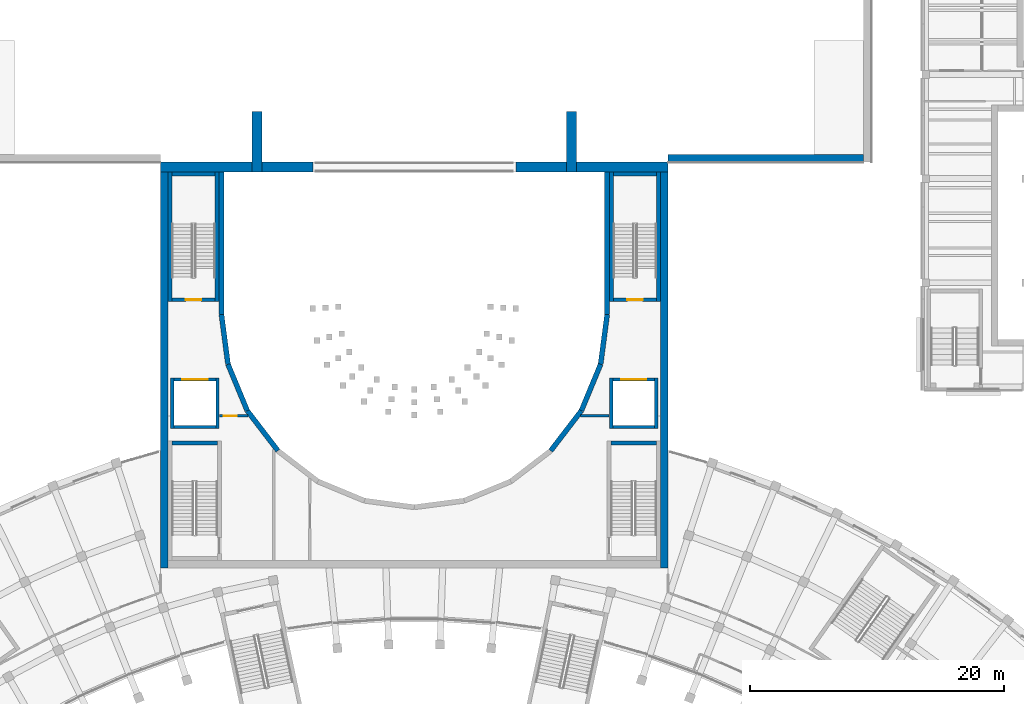
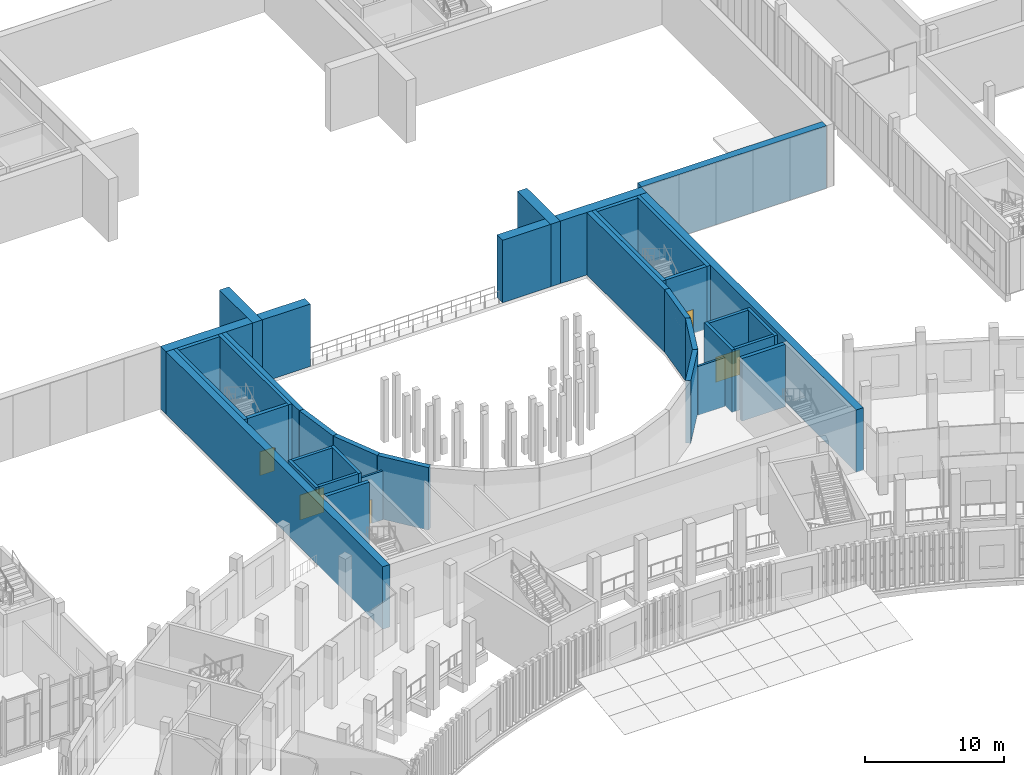
# One storey, part 59 of 112: 35 walls, 5 doors, 5 openings.
"""IFC4 building model written with IfcOpenShell, lengths in metres."""

from ifc_helpers import new_model, si_unit, direction, frame, frame_2d, origin, place, context, subcontext, project, spatial, rectangle, extrude, material, layer, layer_set, type_object, element, fill, save


model = new_model("IFC4")

# Units and contexts
model_context = context("Model", 3, precision=1e-05, world=origin(), true_north=direction((0.0, 1.0)))
body_context = subcontext(model_context, "Body", "Model", "MODEL_VIEW")
ifc_project = project(units=[si_unit("LENGTHUNIT", "METRE"), si_unit("AREAUNIT", "SQUARE_METRE"), si_unit("VOLUMEUNIT", "CUBIC_METRE"), si_unit("PLANEANGLEUNIT", "RADIAN"), si_unit("MASSUNIT", "GRAM", prefix="KILO")], contexts=[model_context])

# Site, building, storey
site_placement = place(None, origin())
site = spatial("IfcSite", under=ifc_project, at=site_placement, CompositionType="ELEMENT")
building_placement = place(site_placement, origin())
building = spatial("IfcBuilding", under=site, at=building_placement, Name="Lunette Opera House", CompositionType="ELEMENT")
storey_placement = place(building_placement, frame((0.0, 0.0, 6.0)))
storey = spatial("IfcBuildingStorey", under=building, at=storey_placement, Name="L01", CompositionType="ELEMENT", Elevation=6.0)

# Wall, opening, door
ifc_material_1 = material(Name="Plastered clay blockwork", Category="masonry")
ifc_layer_1 = layer(ifc_material_1, 0.175048828125)
ifc_layer_set_1 = layer_set([ifc_layer_1], Name="Plastered clay blockwork")
wall_type_1 = type_object("IfcWallType", Name="ACOUSTIC BLOCK PARTITION 175", PredefinedType="PARTITIONING", material=ifc_layer_set_1)
wall_1_placement = place(storey_placement, frame((82.887939453125, 76.0, 0.0), z_axis=(0.0, 0.0, 1.0), x_axis=(-1.0, 0.0, 0.0)))
wall_1 = element("IfcWall", 1, at=wall_1_placement, inside=storey, type_object=wall_type_1, Name="Partition Auditorium Control Room", PredefinedType="PARTITIONING", context=body_context, shape_type="SweptSolid", body=[
    extrude(rectangle(XDim=2.238037109375, YDim=0.175048828125, at=frame_2d((1.119140625, 0.0))), origin(), (0.0, 0.0, 1.0), 4.300048828125),
])
opening_1_placement = place(wall_1_placement, frame((0.89208984375, 0.0, 0.0)))
opening_1 = element("IfcOpeningElement", 2, at=opening_1_placement, cuts=wall_1, Name="Opening AU-D3008", PredefinedType="OPENING", context=body_context, shape_type="SweptSolid", body=[
    extrude(rectangle(XDim=1.0, YDim=2.10009765625, at=frame_2d((0.5, 1.050048828125))), frame((0.0, 0.099609375, 0.0), z_axis=(0.0, -1.0, 0.0), x_axis=(1.0, 0.0, 0.0)), (0.0, 0.0, 1.0), 0.198974609375),
])
ifc_material_2 = material(Name="Timber", Category="wood")
door_type_1 = type_object("IfcDoorType", Name="FLUSH DOOR 1000 X 2100", OperationType="SINGLE_SWING_LEFT", PredefinedType="DOOR", material=ifc_material_2)
door_1_placement = place(opening_1_placement, origin())
door_1 = element("IfcDoor", 3, at=door_1_placement, inside=storey, type_object=door_type_1, Name="Auditorium Control Room door", OperationType="SINGLE_SWING_RIGHT", OverallHeight=2.10009765625, OverallWidth=1.0, PredefinedType="DOOR", context=body_context, shape_type="SweptSolid", body=[
    extrude(rectangle(XDim=1.0, YDim=2.10009765625, at=frame_2d((0.5, 1.050048828125))), frame((0.0, 0.02490234375, 0.0), z_axis=(0.0, -1.0, 0.0), x_axis=(1.0, 0.0, 0.0)), (0.0, 0.0, 1.0), 0.050048828125),
])
fill(opening_1, door_1)

# Walls
wall_2_placement = place(storey_placement, frame((109.112060546875, 76.0, 0.0), z_axis=(0.0, 0.0, 1.0), x_axis=(1.0, 0.0, 0.0)))
element("IfcWall", 4, at=wall_2_placement, inside=storey, type_object=wall_type_1, Name="Partition Stalls Gallery Foyer East", PredefinedType="PARTITIONING", context=body_context, shape_type="SweptSolid", body=[
    extrude(rectangle(XDim=2.238037109375, YDim=0.175048828125, at=frame_2d((1.119140625, 0.0))), origin(), (0.0, 0.0, 1.0), 4.300048828125),
])
ifc_material_3 = material(Name="Concrete C40/50", Category="concrete")
ifc_layer_2 = layer(ifc_material_3, 0.800048828125)
ifc_layer_set_2 = layer_set([ifc_layer_2], Name="Concrete C40/50")
wall_type_2 = type_object("IfcWallType", Name="FIRE WALL 800", PredefinedType="SHEAR", material=ifc_layer_set_2)
for number, where, z_axis, x_axis, name in (
    (5, (76.0, 95.60009765625, 0.0), (0.0, 0.0, 1.0), (1.0, 0.0, 0.0), "wall-ST-L01-WP-1"),
    (6, (104.0, 95.60009765625, 0.0), (0.0, 0.0, 1.0), (1.0, 0.0, 0.0), "wall-ST-L01-WP-2"),
):
    element("IfcWall", number, at=place(storey_placement, frame(where, z_axis=z_axis, x_axis=x_axis)), inside=storey, type_object=wall_type_2, Name=name, PredefinedType="SHEAR", context=body_context, shape_type="SweptSolid", body=[
        extrude(rectangle(XDim=12.0, YDim=0.800048828125, at=frame_2d((6.0, 0.0))), origin(), (0.0, 0.0, 1.0), 5.5),
    ])
ifc_material_4 = material(Name="Concrete C35/45", Category="concrete")
ifc_layer_3 = layer(ifc_material_4, 0.25)
ifc_layer_set_3 = layer_set([ifc_layer_3], Name="Concrete C35/45")
wall_type_3 = type_object("IfcWallType", Name="RC LIFT SHAFT WALL 250", PredefinedType="SOLIDWALL", material=ifc_layer_set_3)
wall_3_placement = place(storey_placement, frame((115.074951171875, 75.0, 0.0), z_axis=(0.0, 0.0, 1.0), x_axis=(0.0, 1.0, 0.0)))
element("IfcWall", 7, at=wall_3_placement, inside=storey, type_object=wall_type_3, Name="LF3 shaft wall 1", PredefinedType="SOLIDWALL", context=body_context, shape_type="SweptSolid", body=[
    extrude(rectangle(XDim=4.0, YDim=0.25, at=frame_2d((2.0, 0.0))), origin(), (0.0, 0.0, 1.0), 5.5),
])

# Wall, opening, door
wall_4_placement = place(storey_placement, frame((114.949951171875, 78.875, 0.0), z_axis=(0.0, 0.0, 1.0), x_axis=(-1.0, 0.0, 0.0)))
wall_4 = element("IfcWall", 8, at=wall_4_placement, inside=storey, type_object=wall_type_3, Name="LF3 shaft wall 2", PredefinedType="SOLIDWALL", context=body_context, shape_type="SweptSolid", body=[
    extrude(rectangle(XDim=3.300048828125, YDim=0.25, at=frame_2d((1.64990234375, 0.0))), origin(), (0.0, 0.0, 1.0), 5.5),
])
opening_2_placement = place(wall_4_placement, frame((0.64990234375, 0.0, 0.0)))
opening_2 = element("IfcOpeningElement", 9, at=opening_2_placement, cuts=wall_4, Name="Opening AU-LD002", PredefinedType="OPENING", context=body_context, shape_type="SweptSolid", body=[
    extrude(rectangle(XDim=2.0, YDim=2.199951171875, at=frame_2d((1.0, 1.10009765625))), frame((0.0, 0.136962890625, 0.0), z_axis=(0.0, -1.0, 0.0), x_axis=(1.0, 0.0, 0.0)), (0.0, 0.0, 1.0), 0.27392578125),
])
ifc_material_5 = material(Name="Stainless steel", Category="steel")
door_type_2 = type_object("IfcDoorType", Name="LIFT LANDING DOOR 2000 X 2200", OperationType="DOUBLE_DOOR_SLIDING", PredefinedType="DOOR", material=ifc_material_5)
door_2_placement = place(opening_2_placement, origin())
door_2 = element("IfcDoor", 10, at=door_2_placement, inside=storey, type_object=door_type_2, Name="LF3 lift landing door", OperationType="DOUBLE_DOOR_SLIDING", OverallHeight=2.199951171875, OverallWidth=2.0, PredefinedType="DOOR", context=body_context, shape_type="SweptSolid", body=[
    extrude(rectangle(XDim=2.0, YDim=2.199951171875, at=frame_2d((1.0, 1.10009765625))), frame((0.0, 0.02490234375, 0.0), z_axis=(0.0, -1.0, 0.0), x_axis=(1.0, 0.0, 0.0)), (0.0, 0.0, 1.0), 0.050048828125),
])
fill(opening_2, door_2)

# Walls
wall_5_placement = place(storey_placement, frame((111.52490234375, 79.0, 0.0), z_axis=(0.0, 0.0, 1.0), x_axis=(0.0, -1.0, 0.0)))
element("IfcWall", 11, at=wall_5_placement, inside=storey, type_object=wall_type_3, Name="LF3 shaft wall 3", PredefinedType="SOLIDWALL", context=body_context, shape_type="SweptSolid", body=[
    extrude(rectangle(XDim=4.0, YDim=0.25, at=frame_2d((2.0, 0.0))), origin(), (0.0, 0.0, 1.0), 5.5),
])
wall_6_placement = place(storey_placement, frame((111.64990234375, 75.125, 0.0), z_axis=(0.0, 0.0, 1.0), x_axis=(1.0, 0.0, 0.0)))
element("IfcWall", 12, at=wall_6_placement, inside=storey, type_object=wall_type_3, Name="LF3 shaft wall 4", PredefinedType="SOLIDWALL", context=body_context, shape_type="SweptSolid", body=[
    extrude(rectangle(XDim=3.300048828125, YDim=0.25, at=frame_2d((1.64990234375, 0.0))), origin(), (0.0, 0.0, 1.0), 5.5),
])
wall_7_placement = place(storey_placement, frame((80.47509765625, 75.0, 0.0), z_axis=(0.0, 0.0, 1.0), x_axis=(0.0, 1.0, 0.0)))
element("IfcWall", 13, at=wall_7_placement, inside=storey, type_object=wall_type_3, Name="LF4 shaft wall 1", PredefinedType="SOLIDWALL", context=body_context, shape_type="SweptSolid", body=[
    extrude(rectangle(XDim=4.0, YDim=0.25, at=frame_2d((2.0, 0.0))), origin(), (0.0, 0.0, 1.0), 5.5),
])

# Wall, opening, door
wall_8_placement = place(storey_placement, frame((80.35009765625, 78.875, 0.0), z_axis=(0.0, 0.0, 1.0), x_axis=(-1.0, 0.0, 0.0)))
wall_8 = element("IfcWall", 14, at=wall_8_placement, inside=storey, type_object=wall_type_3, Name="LF4 shaft wall 2", PredefinedType="SOLIDWALL", context=body_context, shape_type="SweptSolid", body=[
    extrude(rectangle(XDim=3.300048828125, YDim=0.25, at=frame_2d((1.64990234375, 0.0))), origin(), (0.0, 0.0, 1.0), 5.5),
])
opening_3_placement = place(wall_8_placement, frame((0.64990234375, 0.0, 0.0)))
opening_3 = element("IfcOpeningElement", 15, at=opening_3_placement, cuts=wall_8, Name="Opening AU-LD007", PredefinedType="OPENING", context=body_context, shape_type="SweptSolid", body=[
    extrude(rectangle(XDim=2.0, YDim=2.199951171875, at=frame_2d((1.0, 1.10009765625))), frame((0.0, 0.136962890625, 0.0), z_axis=(0.0, -1.0, 0.0), x_axis=(1.0, 0.0, 0.0)), (0.0, 0.0, 1.0), 0.27392578125),
])
door_3_placement = place(opening_3_placement, origin())
door_3 = element("IfcDoor", 16, at=door_3_placement, inside=storey, type_object=door_type_2, Name="LF4 lift landing door", OperationType="DOUBLE_DOOR_SLIDING", OverallHeight=2.199951171875, OverallWidth=2.0, PredefinedType="DOOR", context=body_context, shape_type="SweptSolid", body=[
    extrude(rectangle(XDim=2.0, YDim=2.199951171875, at=frame_2d((1.0, 1.10009765625))), frame((0.0, 0.02490234375, 0.0), z_axis=(0.0, -1.0, 0.0), x_axis=(1.0, 0.0, 0.0)), (0.0, 0.0, 1.0), 0.050048828125),
])
fill(opening_3, door_3)

# Walls
wall_9_placement = place(storey_placement, frame((76.925048828125, 79.0, 0.0), z_axis=(0.0, 0.0, 1.0), x_axis=(0.0, -1.0, 0.0)))
element("IfcWall", 17, at=wall_9_placement, inside=storey, type_object=wall_type_3, Name="LF4 shaft wall 3", PredefinedType="SOLIDWALL", context=body_context, shape_type="SweptSolid", body=[
    extrude(rectangle(XDim=4.0, YDim=0.25, at=frame_2d((2.0, 0.0))), origin(), (0.0, 0.0, 1.0), 5.5),
])
wall_10_placement = place(storey_placement, frame((77.050048828125, 75.125, 0.0), z_axis=(0.0, 0.0, 1.0), x_axis=(1.0, 0.0, 0.0)))
element("IfcWall", 18, at=wall_10_placement, inside=storey, type_object=wall_type_3, Name="LF4 shaft wall 4", PredefinedType="SOLIDWALL", context=body_context, shape_type="SweptSolid", body=[
    extrude(rectangle(XDim=3.300048828125, YDim=0.25, at=frame_2d((1.64990234375, 0.0))), origin(), (0.0, 0.0, 1.0), 5.5),
])
ifc_material_6 = material(Name="Concrete C35/45", Category="concrete")
ifc_layer_4 = layer(ifc_material_6, 0.300048828125)
ifc_layer_set_4 = layer_set([ifc_layer_4], Name="Concrete C35/45")
wall_type_4 = type_object("IfcWallType", Name="RC STAIR ENCLOSURE WALL 300", PredefinedType="SOLIDWALL", material=ifc_layer_set_4)
wall_11_placement = place(storey_placement, frame((80.449951171875, 85.0, 0.0), z_axis=(0.0, 0.0, 1.0), x_axis=(0.0, 1.0, 0.0)))
element("IfcWall", 19, at=wall_11_placement, inside=storey, type_object=wall_type_4, Name="ST10 enclosure wall 1", PredefinedType="SOLIDWALL", context=body_context, shape_type="SweptSolid", body=[
    extrude(rectangle(XDim=10.199951171875, YDim=0.300048828125, at=frame_2d((5.10009765625, 0.0))), origin(), (0.0, 0.0, 1.0), 5.5),
])
wall_12_placement = place(storey_placement, frame((80.300048828125, 95.050048828125, 0.0), z_axis=(0.0, 0.0, 1.0), x_axis=(-1.0, 0.0, 0.0)))
element("IfcWall", 20, at=wall_12_placement, inside=storey, type_object=wall_type_4, Name="ST10 enclosure wall 2", PredefinedType="SOLIDWALL", context=body_context, shape_type="SweptSolid", body=[
    extrude(rectangle(XDim=3.400146484375, YDim=0.300048828125, at=frame_2d((1.7001953125, 0.0))), origin(), (0.0, 0.0, 1.0), 5.5),
])
wall_13_placement = place(storey_placement, frame((76.75, 95.199951171875, 0.0), z_axis=(0.0, 0.0, 1.0), x_axis=(0.0, -1.0, 0.0)))
element("IfcWall", 21, at=wall_13_placement, inside=storey, type_object=wall_type_4, Name="ST10 enclosure wall 3", PredefinedType="SOLIDWALL", context=body_context, shape_type="SweptSolid", body=[
    extrude(rectangle(XDim=10.199951171875, YDim=0.300048828125, at=frame_2d((5.10009765625, 0.0))), origin(), (0.0, 0.0, 1.0), 5.5),
])

# Wall, opening, door
wall_14_placement = place(storey_placement, frame((76.89990234375, 85.14990234375, 0.0), z_axis=(0.0, 0.0, 1.0), x_axis=(1.0, 0.0, 0.0)))
wall_14 = element("IfcWall", 22, at=wall_14_placement, inside=storey, type_object=wall_type_4, Name="ST10 enclosure wall 4", PredefinedType="SOLIDWALL", context=body_context, shape_type="SweptSolid", body=[
    extrude(rectangle(XDim=3.400146484375, YDim=0.300048828125, at=frame_2d((1.7001953125, 0.0))), origin(), (0.0, 0.0, 1.0), 5.5),
])
opening_4_placement = place(wall_14_placement, frame((1.10009765625, 0.0, 0.0)))
opening_4 = element("IfcOpeningElement", 23, at=opening_4_placement, cuts=wall_14, Name="Opening AU-D7003", PredefinedType="OPENING", context=body_context, shape_type="SweptSolid", body=[
    extrude(rectangle(XDim=1.199951171875, YDim=2.10009765625, at=frame_2d((0.60009765625, 1.050048828125))), frame((0.0, 0.162109375, 0.0), z_axis=(0.0, -1.0, 0.0), x_axis=(1.0, 0.0, 0.0)), (0.0, 0.0, 1.0), 0.323974609375),
])
ifc_material_7 = material(Name="Steel", Category="steel")
door_type_3 = type_object("IfcDoorType", Name="FIRE DOOR 1200 X 2100", OperationType="SINGLE_SWING_LEFT", PredefinedType="DOOR", material=ifc_material_7)
door_4_placement = place(opening_4_placement, origin())
door_4 = element("IfcDoor", 24, at=door_4_placement, inside=storey, type_object=door_type_3, Name="ST10 stair door", OperationType="SINGLE_SWING_LEFT", OverallHeight=2.10009765625, OverallWidth=1.199951171875, PredefinedType="DOOR", context=body_context, shape_type="SweptSolid", body=[
    extrude(rectangle(XDim=1.199951171875, YDim=2.10009765625, at=frame_2d((0.60009765625, 1.050048828125))), frame((0.0, 0.02490234375, 0.0), z_axis=(0.0, -1.0, 0.0), x_axis=(1.0, 0.0, 0.0)), (0.0, 0.0, 1.0), 0.050048828125),
])
fill(opening_4, door_4)

# Walls
for number, where, z_axis, x_axis, name in (
    (25, (80.5, 73.85009765625, 0.0), (0.0, 0.0, 1.0), (-1.0, 0.0, 0.0), "ST7 enclosure wall 2"),
    (26, (115.10009765625, 73.85009765625, 0.0), (0.0, 0.0, 1.0), (-1.0, 0.0, 0.0), "ST8 enclosure wall 2"),
):
    element("IfcWall", number, at=place(storey_placement, frame(where, z_axis=z_axis, x_axis=x_axis)), inside=storey, type_object=wall_type_4, Name=name, PredefinedType="SOLIDWALL", context=body_context, shape_type="SweptSolid", body=[
        extrude(rectangle(XDim=3.60009765625, YDim=0.300048828125, at=frame_2d((1.800048828125, 0.0))), origin(), (0.0, 0.0, 1.0), 5.5),
    ])
wall_15_placement = place(storey_placement, frame((115.25, 85.0, 0.0), z_axis=(0.0, 0.0, 1.0), x_axis=(0.0, 1.0, 0.0)))
element("IfcWall", 27, at=wall_15_placement, inside=storey, type_object=wall_type_4, Name="ST9 enclosure wall 1", PredefinedType="SOLIDWALL", context=body_context, shape_type="SweptSolid", body=[
    extrude(rectangle(XDim=10.199951171875, YDim=0.300048828125, at=frame_2d((5.10009765625, 0.0))), origin(), (0.0, 0.0, 1.0), 5.5),
])
wall_16_placement = place(storey_placement, frame((115.10009765625, 95.050048828125, 0.0), z_axis=(0.0, 0.0, 1.0), x_axis=(-1.0, 0.0, 0.0)))
element("IfcWall", 28, at=wall_16_placement, inside=storey, type_object=wall_type_4, Name="ST9 enclosure wall 2", PredefinedType="SOLIDWALL", context=body_context, shape_type="SweptSolid", body=[
    extrude(rectangle(XDim=3.400146484375, YDim=0.300048828125, at=frame_2d((1.7001953125, 0.0))), origin(), (0.0, 0.0, 1.0), 5.5),
])
wall_17_placement = place(storey_placement, frame((111.550048828125, 95.199951171875, 0.0), z_axis=(0.0, 0.0, 1.0), x_axis=(0.0, -1.0, 0.0)))
element("IfcWall", 29, at=wall_17_placement, inside=storey, type_object=wall_type_4, Name="ST9 enclosure wall 3", PredefinedType="SOLIDWALL", context=body_context, shape_type="SweptSolid", body=[
    extrude(rectangle(XDim=10.199951171875, YDim=0.300048828125, at=frame_2d((5.10009765625, 0.0))), origin(), (0.0, 0.0, 1.0), 5.5),
])

# Wall, opening, door
wall_18_placement = place(storey_placement, frame((111.699951171875, 85.14990234375, 0.0), z_axis=(0.0, 0.0, 1.0), x_axis=(1.0, 0.0, 0.0)))
wall_18 = element("IfcWall", 30, at=wall_18_placement, inside=storey, type_object=wall_type_4, Name="ST9 enclosure wall 4", PredefinedType="SOLIDWALL", context=body_context, shape_type="SweptSolid", body=[
    extrude(rectangle(XDim=3.400146484375, YDim=0.300048828125, at=frame_2d((1.7001953125, 0.0))), origin(), (0.0, 0.0, 1.0), 5.5),
])
opening_5_placement = place(wall_18_placement, frame((1.10009765625, 0.0, 0.0)))
opening_5 = element("IfcOpeningElement", 31, at=opening_5_placement, cuts=wall_18, Name="Opening AU-D7021", PredefinedType="OPENING", context=body_context, shape_type="SweptSolid", body=[
    extrude(rectangle(XDim=1.199951171875, YDim=2.10009765625, at=frame_2d((0.60009765625, 1.050048828125))), frame((0.0, 0.162109375, 0.0), z_axis=(0.0, -1.0, 0.0), x_axis=(1.0, 0.0, 0.0)), (0.0, 0.0, 1.0), 0.323974609375),
])
door_5_placement = place(opening_5_placement, origin())
door_5 = element("IfcDoor", 32, at=door_5_placement, inside=storey, type_object=door_type_3, Name="ST9 stair door", OperationType="SINGLE_SWING_LEFT", OverallHeight=2.10009765625, OverallWidth=1.199951171875, PredefinedType="DOOR", context=body_context, shape_type="SweptSolid", body=[
    extrude(rectangle(XDim=1.199951171875, YDim=2.10009765625, at=frame_2d((0.60009765625, 1.050048828125))), frame((0.0, 0.02490234375, 0.0), z_axis=(0.0, -1.0, 0.0), x_axis=(1.0, 0.0, 0.0)), (0.0, 0.0, 1.0), 0.050048828125),
])
fill(opening_5, door_5)

# Walls
ifc_material_8 = material(Name="Concrete C35/45", Category="concrete")
ifc_layer_5 = layer(ifc_material_8, 0.39990234375)
ifc_layer_set_5 = layer_set([ifc_layer_5], Name="Concrete C35/45")
wall_type_5 = type_object("IfcWallType", Name="RC WALL 400", PredefinedType="SHEAR", material=ifc_layer_set_5)
wall_19_placement = place(storey_placement, frame((80.800048828125, 95.199951171875, 0.0), z_axis=(0.0, 0.0, 1.0), x_axis=(0.0, -1.0, 0.0)))
element("IfcWall", 33, at=wall_19_placement, inside=storey, type_object=wall_type_5, Name="wall-AU-L01-HW01", PredefinedType="SHEAR", context=body_context, shape_type="SweptSolid", body=[
    extrude(rectangle(XDim=11.212890625, YDim=0.39990234375, at=frame_2d((5.6064453125, 0.0))), origin(), (0.0, 0.0, 1.0), 5.5),
])
wall_20_placement = place(storey_placement, frame((80.800048828125, 83.987060546875, 0.0), z_axis=(0.0, 0.0, 1.0), x_axis=(0.130436947249, -0.991456606611, 0.0)))
element("IfcWall", 34, at=wall_20_placement, inside=storey, type_object=wall_type_5, Name="wall-AU-L01-HW02", PredefinedType="SHEAR", context=body_context, shape_type="SweptSolid", body=[
    extrude(rectangle(XDim=3.954833984375, YDim=0.39990234375, at=frame_2d((1.9775390625, 0.0))), origin(), (0.0, 0.0, 1.0), 5.5),
])
wall_21_placement = place(storey_placement, frame((81.31591796875, 80.06591796875, 0.0), z_axis=(0.0, 0.0, 1.0), x_axis=(0.38271032831, -0.923868391388, 0.0)))
element("IfcWall", 35, at=wall_21_placement, inside=storey, type_object=wall_type_5, Name="wall-AU-L01-HW03", PredefinedType="SHEAR", context=body_context, shape_type="SweptSolid", body=[
    extrude(rectangle(XDim=3.96923828125, YDim=0.39990234375, at=frame_2d((1.984619140625, 0.0))), origin(), (0.0, 0.0, 1.0), 5.5),
])
for number, where, z_axis, x_axis, name in (
    (36, (82.8349609375, 76.39892578125, 0.0), (0.0, 0.0, 1.0), (0.608568439888, -0.793501388766, 0.0), "wall-AU-L01-HW04"),
    (37, (106.75, 73.25, 0.0), (0.0, 0.0, 1.0), (0.608568439888, 0.793501388766, 0.0), "wall-AU-L01-HW11"),
):
    element("IfcWall", number, at=place(storey_placement, frame(where, z_axis=z_axis, x_axis=x_axis)), inside=storey, type_object=wall_type_5, Name=name, PredefinedType="SHEAR", context=body_context, shape_type="SweptSolid", body=[
        extrude(rectangle(XDim=3.968505859375, YDim=0.39990234375, at=frame_2d((1.984375, 0.0))), origin(), (0.0, 0.0, 1.0), 5.5),
    ])
wall_22_placement = place(storey_placement, frame((109.1650390625, 76.39892578125, 0.0), z_axis=(0.0, 0.0, 1.0), x_axis=(0.38271032831, 0.923868391388, 0.0)))
element("IfcWall", 38, at=wall_22_placement, inside=storey, type_object=wall_type_5, Name="wall-AU-L01-HW12", PredefinedType="SHEAR", context=body_context, shape_type="SweptSolid", body=[
    extrude(rectangle(XDim=3.96923828125, YDim=0.39990234375, at=frame_2d((1.984619140625, 0.0))), origin(), (0.0, 0.0, 1.0), 5.5),
])
wall_23_placement = place(storey_placement, frame((110.68408203125, 80.06591796875, 0.0), z_axis=(0.0, 0.0, 1.0), x_axis=(0.130436947249, 0.991456606611, 0.0)))
element("IfcWall", 39, at=wall_23_placement, inside=storey, type_object=wall_type_5, Name="wall-AU-L01-HW13", PredefinedType="SHEAR", context=body_context, shape_type="SweptSolid", body=[
    extrude(rectangle(XDim=3.954833984375, YDim=0.39990234375, at=frame_2d((1.9775390625, 0.0))), origin(), (0.0, 0.0, 1.0), 5.5),
])
wall_24_placement = place(storey_placement, frame((111.199951171875, 83.987060546875, 0.0), z_axis=(0.0, 0.0, 1.0), x_axis=(0.0, 1.0, 0.0)))
element("IfcWall", 40, at=wall_24_placement, inside=storey, type_object=wall_type_5, Name="wall-AU-L01-HW14", PredefinedType="SHEAR", context=body_context, shape_type="SweptSolid", body=[
    extrude(rectangle(XDim=11.212890625, YDim=0.39990234375, at=frame_2d((5.6064453125, 0.0))), origin(), (0.0, 0.0, 1.0), 5.5),
])
ifc_material_9 = material(Name="Concrete C35/45", Category="concrete")
ifc_layer_6 = layer(ifc_material_9, 0.60009765625)
ifc_layer_set_6 = layer_set([ifc_layer_6], Name="Concrete C35/45")
wall_type_6 = type_object("IfcWallType", Name="RC WALL 600", PredefinedType="SHEAR", material=ifc_layer_set_6)
for number, where, z_axis, x_axis, name in (
    (41, (76.300048828125, 64.0, 0.0), (0.0, 0.0, 1.0), (0.0, 1.0, 0.0), "wall-AU-L01-WL"),
    (42, (115.699951171875, 64.0, 0.0), (0.0, 0.0, 1.0), (0.0, 1.0, 0.0), "wall-AU-L01-WE"),
):
    element("IfcWall", number, at=place(storey_placement, frame(where, z_axis=z_axis, x_axis=x_axis)), inside=storey, type_object=wall_type_6, Name=name, PredefinedType="SHEAR", context=body_context, shape_type="SweptSolid", body=[
        extrude(rectangle(XDim=32.0, YDim=0.60009765625, at=frame_2d((16.0, 0.0))), origin(), (0.0, 0.0, 1.0), 5.5),
    ])
wall_25_placement = place(storey_placement, frame((116.010009765625, 96.300048828125, 0.0), z_axis=(0.0, 0.0, 1.0), x_axis=(1.0, 0.0, 0.0)))
element("IfcWall", 43, at=wall_25_placement, inside=storey, type_object=wall_type_6, Name="wall-ST-L01-SE-S-1", PredefinedType="SHEAR", context=body_context, shape_type="SweptSolid", body=[
    extrude(rectangle(XDim=15.389892578125, YDim=0.60009765625, at=frame_2d((7.69482421875, 0.0))), origin(), (0.0, 0.0, 1.0), 5.5),
])
ifc_material_10 = material(Name="Concrete C40/50", Category="concrete")
ifc_layer_7 = layer(ifc_material_10, 0.800048828125)
ifc_layer_set_7 = layer_set([ifc_layer_7], Name="Concrete C40/50")
wall_type_7 = type_object("IfcWallType", Name="RC WALL 800", PredefinedType="SHEAR", material=ifc_layer_set_7)
for number, where, z_axis, x_axis, name in (
    (44, (83.60009765625, 95.199951171875, 0.0), (0.0, 0.0, 1.0), (0.0, 1.0, 0.0), "wall-ST-L01-WW-1"),
    (45, (108.39990234375, 95.199951171875, 0.0), (0.0, 0.0, 1.0), (0.0, 1.0, 0.0), "wall-ST-L01-WE-1"),
):
    element("IfcWall", number, at=place(storey_placement, frame(where, z_axis=z_axis, x_axis=x_axis)), inside=storey, type_object=wall_type_7, Name=name, PredefinedType="SHEAR", context=body_context, shape_type="SweptSolid", body=[
        extrude(rectangle(XDim=4.800048828125, YDim=0.800048828125, at=frame_2d((2.39990234375, 0.0))), origin(), (0.0, 0.0, 1.0), 5.5),
    ])

save(model, "model.ifc")
